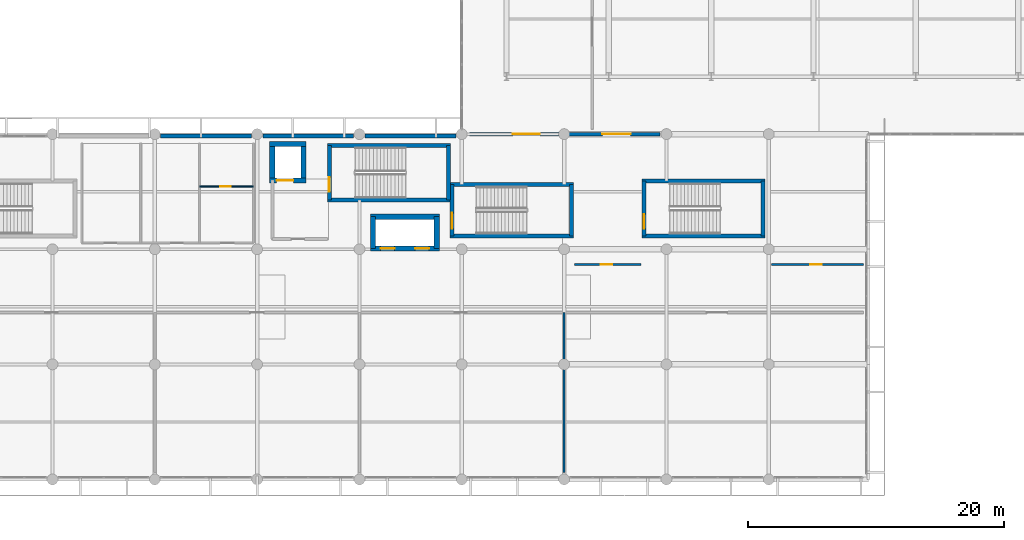
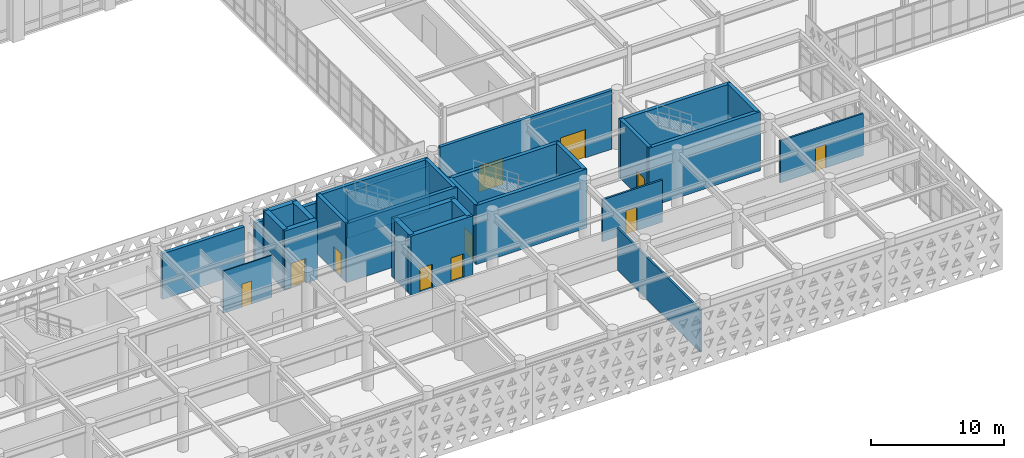
# One storey, part 64 of 84: 28 walls, 11 doors, 11 openings.
"""IFC4 building model written with IfcOpenShell, lengths in metres."""

from ifc_helpers import new_model, si_unit, direction, frame, frame_2d, origin, place, context, subcontext, project, spatial, rectangle, extrude, material, layer, layer_set, type_object, element, fill, save


model = new_model("IFC4")

# Units and contexts
model_context = context("Model", 3, precision=1e-05, world=origin(), true_north=direction((0.0, 1.0)))
body_context = subcontext(model_context, "Body", "Model", "MODEL_VIEW")
ifc_project = project(units=[si_unit("LENGTHUNIT", "METRE"), si_unit("AREAUNIT", "SQUARE_METRE"), si_unit("VOLUMEUNIT", "CUBIC_METRE"), si_unit("PLANEANGLEUNIT", "RADIAN"), si_unit("MASSUNIT", "GRAM", prefix="KILO")], contexts=[model_context])

# Site, building, storey
site_placement = place(None, origin())
site = spatial("IfcSite", under=ifc_project, at=site_placement, CompositionType="ELEMENT")
building_placement = place(site_placement, origin())
building = spatial("IfcBuilding", under=site, at=building_placement, Name="Tlacozan Convention Centre", CompositionType="ELEMENT")
storey_placement = place(building_placement, frame((0.0, 0.0, 6.0)))
storey = spatial("IfcBuildingStorey", under=building, at=storey_placement, Name="L01", CompositionType="ELEMENT", Elevation=6.0)

# Wall, openings, doors
ifc_material_1 = material(Name="Concrete C40/50", Category="concrete")
ifc_layer_1 = layer(ifc_material_1, 0.260009765625)
ifc_layer_set_1 = layer_set([ifc_layer_1], Name="Concrete C40/50")
wall_type_1 = type_object("IfcWallType", Name="Compartment Rated Wall RC 260", PredefinedType="SOLIDWALL", material=ifc_layer_set_1)
wall_1_placement = place(storey_placement, frame((88.60009765625, 27.0, 0.0), z_axis=(0.0, 0.0, 1.0), x_axis=(1.0, 0.0, 0.0)))
wall_1 = element("IfcWall", 1, at=wall_1_placement, inside=storey, type_object=wall_type_1, Name="L01 Compartment Rated Wall RC 260 617", PredefinedType="SOLIDWALL", context=body_context, shape_type="SweptSolid", body=[
    extrude(rectangle(XDim=14.89990234375, YDim=0.260009765625, at=frame_2d((7.449951171875, 0.0))), origin(), (0.0, 0.0, 1.0), 5.39990234375),
])
opening_1_placement = place(wall_1_placement, frame((3.39990234375, 0.0, 0.0)))
opening_1 = element("IfcOpeningElement", 2, at=opening_1_placement, cuts=wall_1, Name="Opening FD-04", PredefinedType="OPENING", context=body_context, shape_type="SweptSolid", body=[
    extrude(rectangle(XDim=2.10009765625, YDim=2.39990234375, at=frame_2d((1.050048828125, 1.199951171875))), frame((0.0, 0.139892578125, 0.0), z_axis=(0.0, -1.0, 0.0), x_axis=(1.0, 0.0, 0.0)), (0.0, 0.0, 1.0), 0.280029296875),
])
opening_2_placement = place(wall_1_placement, frame((10.39990234375, 0.0, 0.0)))
opening_2 = element("IfcOpeningElement", 3, at=opening_2_placement, cuts=wall_1, Name="Opening ID-08", PredefinedType="OPENING", context=body_context, shape_type="SweptSolid", body=[
    extrude(rectangle(XDim=2.199951171875, YDim=2.60009765625, at=frame_2d((1.10009765625, 1.300048828125))), frame((0.0, 0.139892578125, 0.0), z_axis=(0.0, -1.0, 0.0), x_axis=(1.0, 0.0, 0.0)), (0.0, 0.0, 1.0), 0.280029296875),
])
ifc_material_2 = material(Name="Acoustic Solid-Core Oak Veneer Door")
door_type_1 = type_object("IfcDoorType", Name="Ballroom Acoustic Double Door 2200x2600", OperationType="DOUBLE_DOOR_SINGLE_SWING", PredefinedType="DOOR", material=ifc_material_2)
door_1_placement = place(opening_2_placement, origin())
door_1 = element("IfcDoor", 4, at=door_1_placement, inside=storey, type_object=door_type_1, Name="L01 Ballroom Acoustic Double Door 2200x2600 212", OperationType="DOUBLE_DOOR_SINGLE_SWING", OverallHeight=2.60009765625, OverallWidth=2.199951171875, PredefinedType="DOOR", context=body_context, shape_type="SweptSolid", body=[
    extrude(rectangle(XDim=2.199951171875, YDim=2.60009765625, at=frame_2d((1.10009765625, 1.300048828125))), frame((0.0, 0.02490234375, 0.0), z_axis=(0.0, -1.0, 0.0), x_axis=(1.0, 0.0, 0.0)), (0.0, 0.0, 1.0), 0.050048828125),
])
fill(opening_2, door_1)
ifc_material_3 = material(Name="Fire-Rated Insulated Steel Door Leaf", Category="steel")
door_type_2 = type_object("IfcDoorType", Name="Fire Door Compartment Double 2100x2400 FD90", OperationType="DOUBLE_DOOR_SINGLE_SWING", PredefinedType="DOOR", material=ifc_material_3)
door_2_placement = place(opening_1_placement, origin())
door_2 = element("IfcDoor", 5, at=door_2_placement, inside=storey, type_object=door_type_2, Name="L01 Fire Door Compartment Double 2100x2400 FD90 211", OperationType="DOUBLE_DOOR_SINGLE_SWING", OverallHeight=2.39990234375, OverallWidth=2.10009765625, PredefinedType="DOOR", context=body_context, shape_type="SweptSolid", body=[
    extrude(rectangle(XDim=2.10009765625, YDim=2.39990234375, at=frame_2d((1.050048828125, 1.199951171875))), frame((0.0, 0.02490234375, 0.0), z_axis=(0.0, -1.0, 0.0), x_axis=(1.0, 0.0, 0.0)), (0.0, 0.0, 1.0), 0.050048828125),
])
fill(opening_1, door_2)

# Walls
ifc_material_4 = material(Name="Volcanic Cantera Stone Masonry", Category="masonry")
ifc_layer_2 = layer(ifc_material_4, 0.300048828125)
ifc_layer_set_2 = layer_set([ifc_layer_2], Name="Volcanic Cantera Stone Masonry")
wall_type_2 = type_object("IfcWallType", Name="Congress Spandrel Backup Wall 300", PredefinedType="SOLIDWALL", material=ifc_layer_set_2)
for number, where, z_axis, x_axis, name in (
    (6, (64.449951171875, 26.840087890625, 0.0), (0.0, 0.0, 1.0), (1.0, 0.0, 0.0), "L01 Congress Spandrel Backup Wall 300 113"),
    (7, (72.449951171875, 26.840087890625, 0.0), (0.0, 0.0, 1.0), (1.0, 0.0, 0.0), "L01 Congress Spandrel Backup Wall 300 114"),
    (8, (80.449951171875, 26.840087890625, 0.0), (0.0, 0.0, 1.0), (1.0, 0.0, 0.0), "L01 Congress Spandrel Backup Wall 300 115"),
):
    element("IfcWall", number, at=place(storey_placement, frame(where, z_axis=z_axis, x_axis=x_axis)), inside=storey, type_object=wall_type_2, Name=name, PredefinedType="SOLIDWALL", context=body_context, shape_type="SweptSolid", body=[
        extrude(rectangle(XDim=7.10009765625, YDim=0.300048828125, at=frame_2d((3.550048828125, 0.0))), origin(), (0.0, 0.0, 1.0), 4.179931640625),
    ])

# Wall, opening, door
ifc_layer_3 = layer(ifc_material_1, 0.409912109375)
ifc_layer_set_3 = layer_set([ifc_layer_3], Name="Concrete C40/50")
wall_type_3 = type_object("IfcWallType", Name="Core Shear Wall RC 410", PredefinedType="SHEAR", material=ifc_layer_set_3)
wall_2_placement = place(storey_placement, frame((72.97509765625, 23.3798828125, 0.0), z_axis=(0.0, 0.0, 1.0), x_axis=(1.0, 0.0, 0.0)))
wall_2 = element("IfcWall", 9, at=wall_2_placement, inside=storey, type_object=wall_type_3, Name="L01 Core Shear Wall RC 410 119", PredefinedType="SHEAR", context=body_context, shape_type="SweptSolid", body=[
    extrude(rectangle(XDim=2.849853515625, YDim=0.409912109375, at=frame_2d((1.4248046875, 0.0))), origin(), (0.0, 0.0, 1.0), 5.39990234375),
])
opening_3_placement = place(wall_2_placement, frame((0.550048828125, 0.0, 0.0)))
opening_3 = element("IfcOpeningElement", 10, at=opening_3_placement, cuts=wall_2, Name="Opening LD-02", PredefinedType="OPENING", context=body_context, shape_type="SweptSolid", body=[
    extrude(rectangle(XDim=1.300048828125, YDim=2.25, at=frame_2d((0.64990234375, 1.125))), frame((0.0, 0.21484375, 0.0), z_axis=(0.0, -1.0, 0.0), x_axis=(1.0, 0.0, 0.0)), (0.0, 0.0, 1.0), 0.429931640625),
])
ifc_material_5 = material(Name="Brushed Stainless Steel Sliding Landing Door", Category="steel")
door_type_3 = type_object("IfcDoorType", Name="Firefighting Lift Sliding Door 1300x2250", OperationType="DOUBLE_DOOR_SLIDING", PredefinedType="DOOR", material=ifc_material_5)
door_3_placement = place(opening_3_placement, origin())
door_3 = element("IfcDoor", 11, at=door_3_placement, inside=storey, type_object=door_type_3, Name="L01 Firefighting Lift FL-02 Landing Door", OperationType="DOUBLE_DOOR_SLIDING", OverallHeight=2.25, OverallWidth=1.300048828125, PredefinedType="DOOR", context=body_context, shape_type="SweptSolid", body=[
    extrude(rectangle(XDim=1.300048828125, YDim=2.25, at=frame_2d((0.64990234375, 1.125))), frame((0.0, 0.02490234375, 0.0), z_axis=(0.0, -1.0, 0.0), x_axis=(1.0, 0.0, 0.0)), (0.0, 0.0, 1.0), 0.050048828125),
])
fill(opening_3, door_3)

# Walls
wall_3_placement = place(storey_placement, frame((72.97509765625, 26.219970703125, 0.0), z_axis=(0.0, 0.0, 1.0), x_axis=(1.0, 0.0, 0.0)))
element("IfcWall", 12, at=wall_3_placement, inside=storey, type_object=wall_type_3, Name="L01 Core Shear Wall RC 410 120", PredefinedType="SHEAR", context=body_context, shape_type="SweptSolid", body=[
    extrude(rectangle(XDim=2.849853515625, YDim=0.409912109375, at=frame_2d((1.4248046875, 0.0))), origin(), (0.0, 0.0, 1.0), 5.39990234375),
])
for number, where, z_axis, x_axis, name in (
    (13, (73.179931640625, 23.3798828125, 0.0), (0.0, 0.0, 1.0), (0.0, 1.0, 0.0), "L01 Core Shear Wall RC 410 121"),
    (14, (75.6201171875, 23.3798828125, 0.0), (0.0, 0.0, 1.0), (0.0, 1.0, 0.0), "L01 Core Shear Wall RC 410 122"),
):
    element("IfcWall", number, at=place(storey_placement, frame(where, z_axis=z_axis, x_axis=x_axis)), inside=storey, type_object=wall_type_3, Name=name, PredefinedType="SHEAR", context=body_context, shape_type="SweptSolid", body=[
        extrude(rectangle(XDim=2.840087890625, YDim=0.409912109375, at=frame_2d((1.419921875, 0.0))), origin(), (0.0, 0.0, 1.0), 5.39990234375),
    ])

# Wall, openings, doors
wall_4_placement = place(storey_placement, frame((80.85498046875, 18.06005859375, 0.0), z_axis=(0.0, 0.0, 1.0), x_axis=(1.0, 0.0, 0.0)))
wall_4 = element("IfcWall", 15, at=wall_4_placement, inside=storey, type_object=wall_type_3, Name="L01 Core Shear Wall RC 410 123", PredefinedType="SHEAR", context=body_context, shape_type="SweptSolid", body=[
    extrude(rectangle(XDim=5.39013671875, YDim=0.409912109375, at=frame_2d((2.695068359375, 0.0))), origin(), (0.0, 0.0, 1.0), 5.39990234375),
])
opening_4_placement = place(wall_4_placement, frame((0.794921875, 0.0, 0.0)))
opening_4 = element("IfcOpeningElement", 16, at=opening_4_placement, cuts=wall_4, Name="Opening LD-01", PredefinedType="OPENING", context=body_context, shape_type="SweptSolid", body=[
    extrude(rectangle(XDim=1.10009765625, YDim=2.199951171875, at=frame_2d((0.550048828125, 1.10009765625))), frame((0.0, 0.21484375, 0.0), z_axis=(0.0, -1.0, 0.0), x_axis=(1.0, 0.0, 0.0)), (0.0, 0.0, 1.0), 0.429931640625),
])
opening_5_placement = place(wall_4_placement, frame((3.4951171875, 0.0, 0.0)))
opening_5 = element("IfcOpeningElement", 17, at=opening_5_placement, cuts=wall_4, Name="Opening LD-01", PredefinedType="OPENING", context=body_context, shape_type="SweptSolid", body=[
    extrude(rectangle(XDim=1.10009765625, YDim=2.199951171875, at=frame_2d((0.550048828125, 1.10009765625))), frame((0.0, 0.21484375, 0.0), z_axis=(0.0, -1.0, 0.0), x_axis=(1.0, 0.0, 0.0)), (0.0, 0.0, 1.0), 0.429931640625),
])
door_type_4 = type_object("IfcDoorType", Name="Lift Sliding Landing Door 1100x2200", OperationType="DOUBLE_DOOR_SLIDING", PredefinedType="DOOR", material=ifc_material_5)
door_4_placement = place(opening_4_placement, origin())
door_4 = element("IfcDoor", 18, at=door_4_placement, inside=storey, type_object=door_type_4, Name="L01 Lift PL-03 Landing Door", OperationType="DOUBLE_DOOR_SLIDING", OverallHeight=2.199951171875, OverallWidth=1.10009765625, PredefinedType="DOOR", context=body_context, shape_type="SweptSolid", body=[
    extrude(rectangle(XDim=1.10009765625, YDim=2.199951171875, at=frame_2d((0.550048828125, 1.10009765625))), frame((0.0, 0.02490234375, 0.0), z_axis=(0.0, -1.0, 0.0), x_axis=(1.0, 0.0, 0.0)), (0.0, 0.0, 1.0), 0.050048828125),
])
fill(opening_4, door_4)
door_5_placement = place(opening_5_placement, origin())
door_5 = element("IfcDoor", 19, at=door_5_placement, inside=storey, type_object=door_type_4, Name="L01 Lift PL-04 Landing Door", OperationType="DOUBLE_DOOR_SLIDING", OverallHeight=2.199951171875, OverallWidth=1.10009765625, PredefinedType="DOOR", context=body_context, shape_type="SweptSolid", body=[
    extrude(rectangle(XDim=1.10009765625, YDim=2.199951171875, at=frame_2d((0.550048828125, 1.10009765625))), frame((0.0, 0.02490234375, 0.0), z_axis=(0.0, -1.0, 0.0), x_axis=(1.0, 0.0, 0.0)), (0.0, 0.0, 1.0), 0.050048828125),
])
fill(opening_5, door_5)

# Walls
wall_5_placement = place(storey_placement, frame((80.85498046875, 20.5400390625, 0.0), z_axis=(0.0, 0.0, 1.0), x_axis=(1.0, 0.0, 0.0)))
element("IfcWall", 20, at=wall_5_placement, inside=storey, type_object=wall_type_3, Name="L01 Core Shear Wall RC 410 124", PredefinedType="SHEAR", context=body_context, shape_type="SweptSolid", body=[
    extrude(rectangle(XDim=5.39013671875, YDim=0.409912109375, at=frame_2d((2.695068359375, 0.0))), origin(), (0.0, 0.0, 1.0), 5.39990234375),
])
for number, where, z_axis, x_axis, name in (
    (21, (81.06005859375, 18.06005859375, 0.0), (0.0, 0.0, 1.0), (0.0, 1.0, 0.0), "L01 Core Shear Wall RC 410 125"),
    (22, (86.0400390625, 18.06005859375, 0.0), (0.0, 0.0, 1.0), (0.0, 1.0, 0.0), "L01 Core Shear Wall RC 410 126"),
):
    element("IfcWall", number, at=place(storey_placement, frame(where, z_axis=z_axis, x_axis=x_axis)), inside=storey, type_object=wall_type_3, Name=name, PredefinedType="SHEAR", context=body_context, shape_type="SweptSolid", body=[
        extrude(rectangle(XDim=2.47998046875, YDim=0.409912109375, at=frame_2d((1.239990234375, 0.0))), origin(), (0.0, 0.0, 1.0), 5.39990234375),
    ])
ifc_material_6 = material(Name="Acoustic Double-Stud Partition Assembly")
ifc_layer_4 = layer(ifc_material_6, 0.159912109375)
ifc_layer_set_4 = layer_set([ifc_layer_4], Name="Acoustic Double-Stud Partition Assembly")
wall_type_4 = type_object("IfcWallType", Name="Meeting Acoustic Partition 160", PredefinedType="PARTITIONING", material=ifc_layer_set_4)
wall_6_placement = place(storey_placement, frame((96.0, 0.550048828125, 0.0), z_axis=(0.0, 0.0, 1.0), x_axis=(0.0, 1.0, 0.0)))
element("IfcWall", 23, at=wall_6_placement, inside=storey, type_object=wall_type_4, Name="L01 Meeting Acoustic Partition 160 590", PredefinedType="PARTITIONING", context=body_context, shape_type="SweptSolid", body=[
    extrude(rectangle(XDim=12.5, YDim=0.159912109375, at=frame_2d((6.25, 0.0))), origin(), (0.0, 0.0, 1.0), 3.85009765625),
])

# Wall, opening, door
wall_7_placement = place(storey_placement, frame((96.800048828125, 16.800048828125, 0.0), z_axis=(0.0, 0.0, 1.0), x_axis=(1.0, 0.0, 0.0)))
wall_7 = element("IfcWall", 24, at=wall_7_placement, inside=storey, type_object=wall_type_4, Name="L01 Meeting Acoustic Partition 160 592", PredefinedType="PARTITIONING", context=body_context, shape_type="SweptSolid", body=[
    extrude(rectangle(XDim=5.199951171875, YDim=0.159912109375, at=frame_2d((2.60009765625, 0.0))), origin(), (0.0, 0.0, 1.0), 3.85009765625),
])
opening_6_placement = place(wall_7_placement, frame((2.050048828125, 0.0, 0.0)))
opening_6 = element("IfcOpeningElement", 25, at=opening_6_placement, cuts=wall_7, Name="Opening ID-14", PredefinedType="OPENING", context=body_context, shape_type="SweptSolid", body=[
    extrude(rectangle(XDim=0.919921875, YDim=2.14990234375, at=frame_2d((0.4599609375, 1.074951171875))), frame((0.0, 0.08984375, 0.0), z_axis=(0.0, -1.0, 0.0), x_axis=(1.0, 0.0, 0.0)), (0.0, 0.0, 1.0), 0.179931640625),
])
door_type_5 = type_object("IfcDoorType", Name="Interpretation Booth Door 920x2150", OperationType="NOTDEFINED", PredefinedType="DOOR", material=ifc_material_2)
door_6_placement = place(opening_6_placement, origin())
door_6 = element("IfcDoor", 26, at=door_6_placement, inside=storey, type_object=door_type_5, Name="L01 Interpretation Booth Door 920x2150 185", OperationType="SINGLE_SWING_RIGHT", OverallHeight=2.14990234375, OverallWidth=0.919921875, PredefinedType="DOOR", context=body_context, shape_type="SweptSolid", body=[
    extrude(rectangle(XDim=0.919921875, YDim=2.14990234375, at=frame_2d((0.4599609375, 1.074951171875))), frame((0.0, 0.02490234375, 0.0), z_axis=(0.0, -1.0, 0.0), x_axis=(1.0, 0.0, 0.0)), (0.0, 0.0, 1.0), 0.050048828125),
])
fill(opening_6, door_6)

wall_8_placement = place(storey_placement, frame((112.199951171875, 16.800048828125, 0.0), z_axis=(0.0, 0.0, 1.0), x_axis=(1.0, 0.0, 0.0)))
wall_8 = element("IfcWall", 27, at=wall_8_placement, inside=storey, type_object=wall_type_4, Name="L01 Meeting Acoustic Partition 160 593", PredefinedType="PARTITIONING", context=body_context, shape_type="SweptSolid", body=[
    extrude(rectangle(XDim=7.199951171875, YDim=0.159912109375, at=frame_2d((3.60009765625, 0.0))), origin(), (0.0, 0.0, 1.0), 3.85009765625),
])
opening_7_placement = place(wall_8_placement, frame((3.050048828125, 0.0, 0.0)))
opening_7 = element("IfcOpeningElement", 28, at=opening_7_placement, cuts=wall_8, Name="Opening ID-03", PredefinedType="OPENING", context=body_context, shape_type="SweptSolid", body=[
    extrude(rectangle(XDim=0.89990234375, YDim=2.14990234375, at=frame_2d((0.449951171875, 1.074951171875))), frame((0.0, 0.08984375, 0.0), z_axis=(0.0, -1.0, 0.0), x_axis=(1.0, 0.0, 0.0)), (0.0, 0.0, 1.0), 0.179931640625),
])
door_type_6 = type_object("IfcDoorType", Name="Office Single Door 900x2150", OperationType="NOTDEFINED", PredefinedType="DOOR", material=ifc_material_2)
door_7_placement = place(opening_7_placement, origin())
door_7 = element("IfcDoor", 29, at=door_7_placement, inside=storey, type_object=door_type_6, Name="L01 Office Single Door 900x2150 186", OperationType="SINGLE_SWING_LEFT", OverallHeight=2.14990234375, OverallWidth=0.89990234375, PredefinedType="DOOR", context=body_context, shape_type="SweptSolid", body=[
    extrude(rectangle(XDim=0.89990234375, YDim=2.14990234375, at=frame_2d((0.449951171875, 1.074951171875))), frame((0.0, 0.02490234375, 0.0), z_axis=(0.0, -1.0, 0.0), x_axis=(1.0, 0.0, 0.0)), (0.0, 0.0, 1.0), 0.050048828125),
])
fill(opening_7, door_7)

ifc_material_7 = material(Name="Fire-Rated Gypsum Stud Partition Assembly")
ifc_layer_5 = layer(ifc_material_7, 0.10009765625)
ifc_layer_set_5 = layer_set([ifc_layer_5], Name="Fire-Rated Gypsum Stud Partition Assembly")
wall_type_5 = type_object("IfcWallType", Name="Service Duct Partition 100", PredefinedType="PARTITIONING", material=ifc_layer_set_5)
wall_9_placement = place(storey_placement, frame((67.5, 22.89990234375, 0.0), z_axis=(0.0, 0.0, 1.0), x_axis=(1.0, 0.0, 0.0)))
wall_9 = element("IfcWall", 30, at=wall_9_placement, inside=storey, type_object=wall_type_5, Name="L01 Service Duct Partition 100 542", PredefinedType="PARTITIONING", context=body_context, shape_type="SweptSolid", body=[
    extrude(rectangle(XDim=4.199951171875, YDim=0.10009765625, at=frame_2d((2.10009765625, 0.0))), origin(), (0.0, 0.0, 1.0), 3.85009765625),
])
opening_8_placement = place(wall_9_placement, frame((1.60009765625, 0.0, 0.0)))
opening_8 = element("IfcOpeningElement", 31, at=opening_8_placement, cuts=wall_9, Name="Opening ID-06", PredefinedType="OPENING", context=body_context, shape_type="SweptSolid", body=[
    extrude(rectangle(XDim=0.85009765625, YDim=2.10009765625, at=frame_2d((0.425048828125, 1.050048828125))), frame((0.0, 0.06005859375, 0.0), z_axis=(0.0, -1.0, 0.0), x_axis=(1.0, 0.0, 0.0)), (0.0, 0.0, 1.0), 0.1201171875),
])
door_type_7 = type_object("IfcDoorType", Name="Service Closet Door 850x2100", OperationType="NOTDEFINED", PredefinedType="DOOR", material=ifc_material_2)
door_8_placement = place(opening_8_placement, origin())
door_8 = element("IfcDoor", 32, at=door_8_placement, inside=storey, type_object=door_type_7, Name="L01 Housekeeping Closet Door", OperationType="SINGLE_SWING_RIGHT", OverallHeight=2.10009765625, OverallWidth=0.85009765625, PredefinedType="DOOR", context=body_context, shape_type="SweptSolid", body=[
    extrude(rectangle(XDim=0.85009765625, YDim=2.10009765625, at=frame_2d((0.425048828125, 1.050048828125))), frame((0.0, 0.02490234375, 0.0), z_axis=(0.0, -1.0, 0.0), x_axis=(1.0, 0.0, 0.0)), (0.0, 0.0, 1.0), 0.050048828125),
])
fill(opening_8, door_8)

# Walls
ifc_layer_6 = layer(ifc_material_1, 0.31005859375)
ifc_layer_set_6 = layer_set([ifc_layer_6], Name="Concrete C40/50")
wall_type_6 = type_object("IfcWallType", Name="Stair Shaft Shear Wall RC 310", PredefinedType="SHEAR", material=ifc_layer_set_6)
for number, where, z_axis, x_axis, name in (
    (33, (77.485107421875, 21.840087890625, 0.0), (0.0, 0.0, 1.0), (1.0, 0.0, 0.0), "L01 Stair Shaft Shear Wall RC 310 113"),
    (34, (77.485107421875, 26.1201171875, 0.0), (0.0, 0.0, 1.0), (1.0, 0.0, 0.0), "L01 Stair Shaft Shear Wall RC 310 114"),
):
    element("IfcWall", number, at=place(storey_placement, frame(where, z_axis=z_axis, x_axis=x_axis)), inside=storey, type_object=wall_type_6, Name=name, PredefinedType="SHEAR", context=body_context, shape_type="SweptSolid", body=[
        extrude(rectangle(XDim=9.6298828125, YDim=0.31005859375, at=frame_2d((4.81494140625, 0.0))), origin(), (0.0, 0.0, 1.0), 5.39990234375),
    ])

# Wall, opening, door
wall_10_placement = place(storey_placement, frame((77.639892578125, 21.840087890625, 0.0), z_axis=(0.0, 0.0, 1.0), x_axis=(0.0, 1.0, 0.0)))
wall_10 = element("IfcWall", 35, at=wall_10_placement, inside=storey, type_object=wall_type_6, Name="L01 Stair Shaft Shear Wall RC 310 115", PredefinedType="SHEAR", context=body_context, shape_type="SweptSolid", body=[
    extrude(rectangle(XDim=4.280029296875, YDim=0.31005859375, at=frame_2d((2.14013671875, 0.0))), origin(), (0.0, 0.0, 1.0), 5.39990234375),
])
opening_9_placement = place(wall_10_placement, frame((0.64990234375, 0.0, 0.0)))
opening_9 = element("IfcOpeningElement", 36, at=opening_9_placement, cuts=wall_10, Name="Opening FD-02", PredefinedType="OPENING", context=body_context, shape_type="SweptSolid", body=[
    extrude(rectangle(XDim=1.14990234375, YDim=2.199951171875, at=frame_2d((0.574951171875, 1.10009765625))), frame((0.0, 0.1650390625, 0.0), z_axis=(0.0, -1.0, 0.0), x_axis=(1.0, 0.0, 0.0)), (0.0, 0.0, 1.0), 0.330078125),
])
door_type_8 = type_object("IfcDoorType", Name="Fire Door Stair 1150x2200 FD90", OperationType="NOTDEFINED", PredefinedType="DOOR", material=ifc_material_3)
door_9_placement = place(opening_9_placement, origin())
door_9 = element("IfcDoor", 37, at=door_9_placement, inside=storey, type_object=door_type_8, Name="L01 Stair ST-02 Fire Door", OperationType="SINGLE_SWING_RIGHT", OverallHeight=2.199951171875, OverallWidth=1.14990234375, PredefinedType="DOOR", context=body_context, shape_type="SweptSolid", body=[
    extrude(rectangle(XDim=1.14990234375, YDim=2.199951171875, at=frame_2d((0.574951171875, 1.10009765625))), frame((0.0, 0.02490234375, 0.0), z_axis=(0.0, -1.0, 0.0), x_axis=(1.0, 0.0, 0.0)), (0.0, 0.0, 1.0), 0.050048828125),
])
fill(opening_9, door_9)

# Walls
wall_11_placement = place(storey_placement, frame((86.9599609375, 21.840087890625, 0.0), z_axis=(0.0, 0.0, 1.0), x_axis=(0.0, 1.0, 0.0)))
element("IfcWall", 38, at=wall_11_placement, inside=storey, type_object=wall_type_6, Name="L01 Stair Shaft Shear Wall RC 310 116", PredefinedType="SHEAR", context=body_context, shape_type="SweptSolid", body=[
    extrude(rectangle(XDim=4.280029296875, YDim=0.31005859375, at=frame_2d((2.14013671875, 0.0))), origin(), (0.0, 0.0, 1.0), 5.39990234375),
])
for number, where, z_axis, x_axis, name in (
    (39, (102.0849609375, 19.0400390625, 0.0), (0.0, 0.0, 1.0), (1.0, 0.0, 0.0), "L01 Stair Shaft Shear Wall RC 310 273"),
    (40, (102.0849609375, 23.320068359375, 0.0), (0.0, 0.0, 1.0), (1.0, 0.0, 0.0), "L01 Stair Shaft Shear Wall RC 310 274"),
):
    element("IfcWall", number, at=place(storey_placement, frame(where, z_axis=z_axis, x_axis=x_axis)), inside=storey, type_object=wall_type_6, Name=name, PredefinedType="SHEAR", context=body_context, shape_type="SweptSolid", body=[
        extrude(rectangle(XDim=9.630126953125, YDim=0.31005859375, at=frame_2d((4.81494140625, 0.0))), origin(), (0.0, 0.0, 1.0), 5.39990234375),
    ])

# Wall, opening, door
wall_12_placement = place(storey_placement, frame((102.239990234375, 19.0400390625, 0.0), z_axis=(0.0, 0.0, 1.0), x_axis=(0.0, 1.0, 0.0)))
wall_12 = element("IfcWall", 41, at=wall_12_placement, inside=storey, type_object=wall_type_6, Name="L01 Stair Shaft Shear Wall RC 310 275", PredefinedType="SHEAR", context=body_context, shape_type="SweptSolid", body=[
    extrude(rectangle(XDim=4.280029296875, YDim=0.31005859375, at=frame_2d((2.14013671875, 0.0))), origin(), (0.0, 0.0, 1.0), 5.39990234375),
])
opening_10_placement = place(wall_12_placement, frame((0.550048828125, 0.0, 0.0)))
opening_10 = element("IfcOpeningElement", 42, at=opening_10_placement, cuts=wall_12, Name="Opening FD-02", PredefinedType="OPENING", context=body_context, shape_type="SweptSolid", body=[
    extrude(rectangle(XDim=1.14990234375, YDim=2.199951171875, at=frame_2d((0.574951171875, 1.10009765625))), frame((0.0, 0.1650390625, 0.0), z_axis=(0.0, -1.0, 0.0), x_axis=(1.0, 0.0, 0.0)), (0.0, 0.0, 1.0), 0.330078125),
])
door_10_placement = place(opening_10_placement, origin())
door_10 = element("IfcDoor", 43, at=door_10_placement, inside=storey, type_object=door_type_8, Name="L01 Stair ST-05 Access Door", OperationType="SINGLE_SWING_LEFT", OverallHeight=2.199951171875, OverallWidth=1.14990234375, PredefinedType="DOOR", context=body_context, shape_type="SweptSolid", body=[
    extrude(rectangle(XDim=1.14990234375, YDim=2.199951171875, at=frame_2d((0.574951171875, 1.10009765625))), frame((0.0, 0.02490234375, 0.0), z_axis=(0.0, -1.0, 0.0), x_axis=(1.0, 0.0, 0.0)), (0.0, 0.0, 1.0), 0.050048828125),
])
fill(opening_10, door_10)

# Walls
wall_13_placement = place(storey_placement, frame((111.56005859375, 19.0400390625, 0.0), z_axis=(0.0, 0.0, 1.0), x_axis=(0.0, 1.0, 0.0)))
element("IfcWall", 44, at=wall_13_placement, inside=storey, type_object=wall_type_6, Name="L01 Stair Shaft Shear Wall RC 310 276", PredefinedType="SHEAR", context=body_context, shape_type="SweptSolid", body=[
    extrude(rectangle(XDim=4.280029296875, YDim=0.31005859375, at=frame_2d((2.14013671875, 0.0))), origin(), (0.0, 0.0, 1.0), 5.39990234375),
])
for number, where, z_axis, x_axis, name in (
    (45, (87.0849609375, 19.0400390625, 0.0), (0.0, 0.0, 1.0), (1.0, 0.0, 0.0), "L01 Stair Shaft Shear Wall RC 310 341"),
    (46, (87.0849609375, 23.06005859375, 0.0), (0.0, 0.0, 1.0), (1.0, 0.0, 0.0), "L01 Stair Shaft Shear Wall RC 310 342"),
):
    element("IfcWall", number, at=place(storey_placement, frame(where, z_axis=z_axis, x_axis=x_axis)), inside=storey, type_object=wall_type_6, Name=name, PredefinedType="SHEAR", context=body_context, shape_type="SweptSolid", body=[
        extrude(rectangle(XDim=9.630126953125, YDim=0.31005859375, at=frame_2d((4.81494140625, 0.0))), origin(), (0.0, 0.0, 1.0), 5.39990234375),
    ])

# Wall, opening, door
wall_14_placement = place(storey_placement, frame((87.239990234375, 19.0400390625, 0.0), z_axis=(0.0, 0.0, 1.0), x_axis=(0.0, 1.0, 0.0)))
wall_14 = element("IfcWall", 47, at=wall_14_placement, inside=storey, type_object=wall_type_6, Name="L01 Stair Shaft Shear Wall RC 310 343", PredefinedType="SHEAR", context=body_context, shape_type="SweptSolid", body=[
    extrude(rectangle(XDim=4.02001953125, YDim=0.31005859375, at=frame_2d((2.010009765625, 0.0))), origin(), (0.0, 0.0, 1.0), 5.39990234375),
])
opening_11_placement = place(wall_14_placement, frame((0.550048828125, 0.0, 0.0)))
opening_11 = element("IfcOpeningElement", 48, at=opening_11_placement, cuts=wall_14, Name="Opening FD-05", PredefinedType="OPENING", context=body_context, shape_type="SweptSolid", body=[
    extrude(rectangle(XDim=1.25, YDim=2.199951171875, at=frame_2d((0.625, 1.10009765625))), frame((0.0, 0.1650390625, 0.0), z_axis=(0.0, -1.0, 0.0), x_axis=(1.0, 0.0, 0.0)), (0.0, 0.0, 1.0), 0.330078125),
])
door_type_9 = type_object("IfcDoorType", Name="Fire Door Wide Stair 1250x2200 FD90", OperationType="NOTDEFINED", PredefinedType="DOOR", material=ifc_material_3)
door_11_placement = place(opening_11_placement, origin())
door_11 = element("IfcDoor", 49, at=door_11_placement, inside=storey, type_object=door_type_9, Name="L01 Stair ST-15 Access Door", OperationType="SINGLE_SWING_RIGHT", OverallHeight=2.199951171875, OverallWidth=1.25, PredefinedType="DOOR", context=body_context, shape_type="SweptSolid", body=[
    extrude(rectangle(XDim=1.25, YDim=2.199951171875, at=frame_2d((0.625, 1.10009765625))), frame((0.0, 0.02490234375, 0.0), z_axis=(0.0, -1.0, 0.0), x_axis=(1.0, 0.0, 0.0)), (0.0, 0.0, 1.0), 0.050048828125),
])
fill(opening_11, door_11)

# Wall
wall_15_placement = place(storey_placement, frame((96.56005859375, 19.0400390625, 0.0), z_axis=(0.0, 0.0, 1.0), x_axis=(0.0, 1.0, 0.0)))
element("IfcWall", 50, at=wall_15_placement, inside=storey, type_object=wall_type_6, Name="L01 Stair Shaft Shear Wall RC 310 344", PredefinedType="SHEAR", context=body_context, shape_type="SweptSolid", body=[
    extrude(rectangle(XDim=4.02001953125, YDim=0.31005859375, at=frame_2d((2.010009765625, 0.0))), origin(), (0.0, 0.0, 1.0), 5.39990234375),
])

save(model, "model.ifc")
